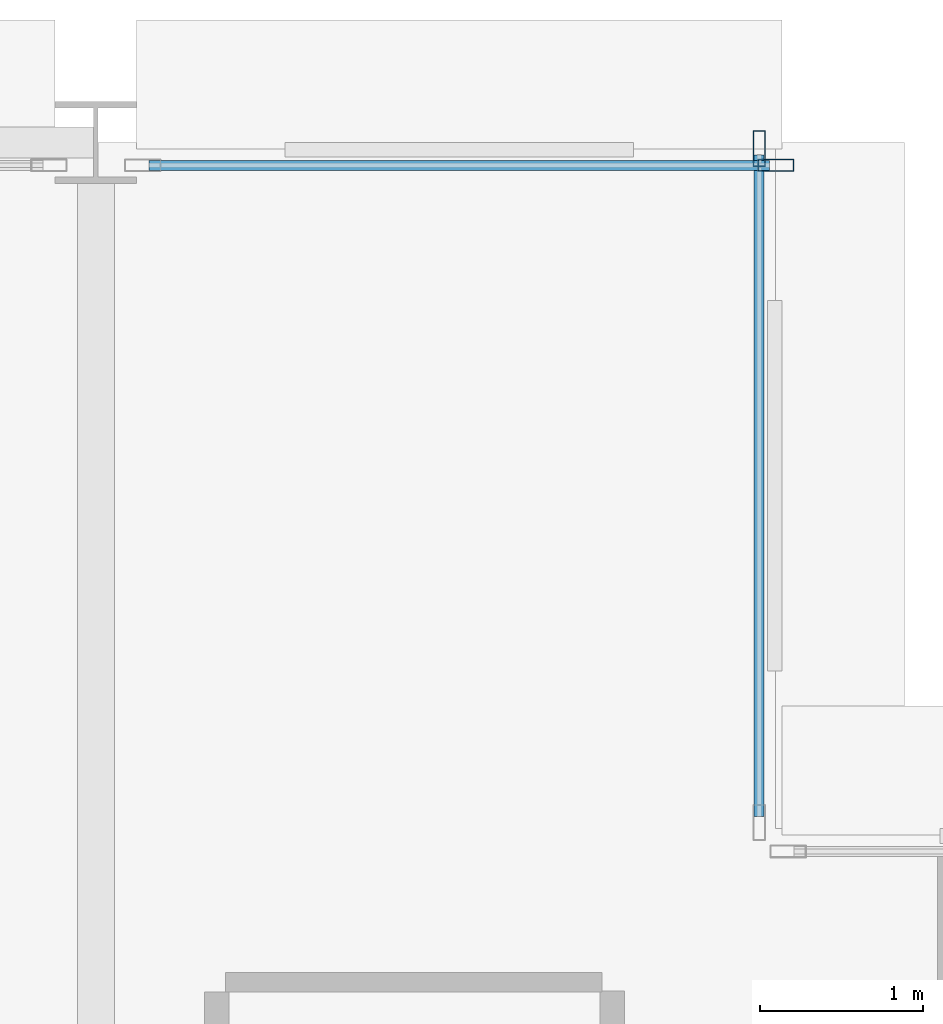
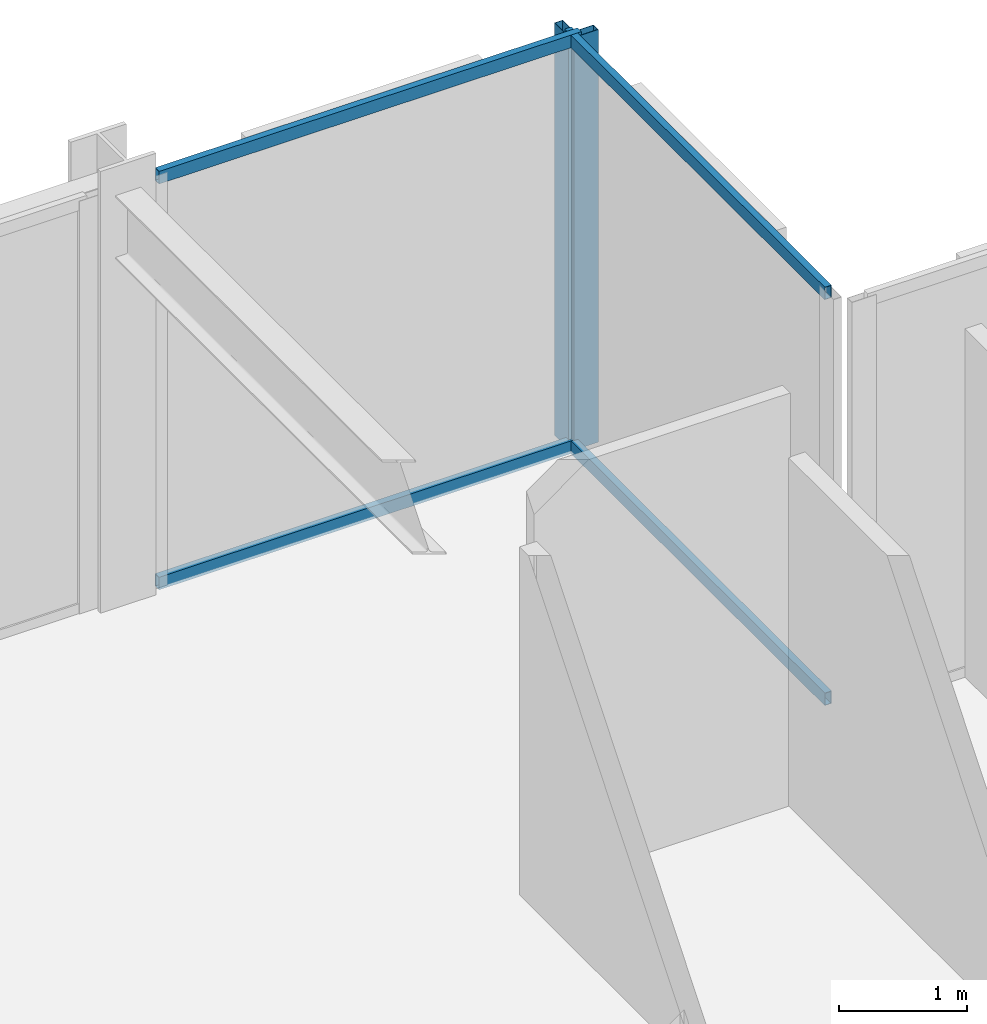
# One storey, part 20 of 27: 6 members, 2 elements without a shape of their own.
"""IFC4 building model written with IfcOpenShell, lengths in metres."""

from ifc_helpers import new_model, si_unit, direction, frame, origin, origin_2d, place, context, subcontext, project, spatial, hollow_rectangle, extrude, material, layer, layer_set, material_profile, profile_set, type_object, element, aggregate, save


model = new_model("IFC4")

# Units and contexts
model_context = context("Model", 3, precision=1e-05, world=origin(), true_north=direction((0.0, 1.0)))
body_context = subcontext(model_context, "Body", "Model", "MODEL_VIEW")
ifc_project = project(units=[si_unit("LENGTHUNIT", "METRE"), si_unit("AREAUNIT", "SQUARE_METRE"), si_unit("VOLUMEUNIT", "CUBIC_METRE"), si_unit("PLANEANGLEUNIT", "RADIAN"), si_unit("MASSUNIT", "GRAM", prefix="KILO")], contexts=[model_context])

# Site, building, storey
site_placement = place(None, origin())
site = spatial("IfcSite", under=ifc_project, at=site_placement, CompositionType="ELEMENT")
building_placement = place(site_placement, origin())
building = spatial("IfcBuilding", under=site, at=building_placement, Name="Nerrivon Quay Data Exchange", CompositionType="ELEMENT")
storey_placement = place(building_placement, frame((0.0, 0.0, 66.800048828125)))
storey = spatial("IfcBuildingStorey", under=building, at=storey_placement, Name="L15", CompositionType="ELEMENT", Elevation=66.800048828125)

# Curtain wall, member
ifc_material = material(Name="Anodised aluminium 6063-T6", Category="aluminium")
ifc_layer = layer(ifc_material, 0.219970703125)
ifc_layer_set = layer_set([ifc_layer], Name="Anodised aluminium 6063-T6")
curtain_wall_type = type_object("IfcCurtainWallType", Name="CW-SYS-01", PredefinedType="NOTDEFINED", material=ifc_layer_set)
curtain_wall_1_placement = place(storey_placement, origin())
curtain_wall_1 = element("IfcCurtainWall", 1, at=curtain_wall_1_placement, inside=storey, type_object=curtain_wall_type, Name="L15 Unitised Curtain Wall 26", PredefinedType="NOTDEFINED")
ifc_material_profile_1 = material_profile(ifc_material, hollow_rectangle(XDim=0.074951171875, YDim=0.219970703125, WallThickness=0.00390625, at=origin_2d()), Name="ALU-MULL-220x75")
ifc_profile_set_1 = profile_set([ifc_material_profile_1], Name="Anodised aluminium 6063-T6")
member_type_1 = type_object("IfcMemberType", Name="CWM-220x75", PredefinedType="MULLION", material=ifc_profile_set_1)
member_1_placement = place(storey_placement, frame((20.96240234375, 50.260009765625, 0.0), z_axis=(0.0, 0.0, 1.0), x_axis=(0.0, 1.0, 0.0)))
member_1 = element("IfcMember", 2, at=member_1_placement, type_object=member_type_1, Name="CW01 mullion 2", PredefinedType="MULLION", context=body_context, shape_type="SweptSolid", body=[
    extrude(hollow_rectangle(XDim=0.074951171875, YDim=0.219970703125, WallThickness=0.00390625, at=origin_2d()), origin(), (0.0, 0.0, 1.0), 3.925048828125),
])

curtain_wall_2_placement = place(storey_placement, origin())
curtain_wall_2 = element("IfcCurtainWall", 3, at=curtain_wall_2_placement, inside=storey, type_object=curtain_wall_type, Name="L15 Unitised Curtain Wall 27", PredefinedType="NOTDEFINED")
member_2_placement = place(storey_placement, frame((20.860107421875, 50.362548828125, 0.0), z_axis=(0.0, 0.0, 1.0), x_axis=(1.0, 0.0, 0.0)))
member_2 = element("IfcMember", 4, at=member_2_placement, type_object=member_type_1, Name="CW01 mullion 1", PredefinedType="MULLION", context=body_context, shape_type="SweptSolid", body=[
    extrude(hollow_rectangle(XDim=0.074951171875, YDim=0.219970703125, WallThickness=0.00390625, at=origin_2d()), origin(), (0.0, 0.0, 1.0), 3.925048828125),
])

# Member
ifc_material_profile_2 = material_profile(ifc_material, hollow_rectangle(XDim=0.06005859375, YDim=0.1201171875, WallThickness=0.003173828125, at=origin_2d()), Name="ALU-TRAN-120x60")
ifc_profile_set_2 = profile_set([ifc_material_profile_2], Name="Anodised aluminium 6063-T6")
member_type_2 = type_object("IfcMemberType", Name="CWT-120x60", PredefinedType="USERDEFINED", material=ifc_profile_set_2)
member_3_placement = place(storey_placement, frame((17.125, 50.260009765625, 0.032470703125), z_axis=(1.0, 0.0, 0.0), x_axis=(0.0, 1.0, 0.0)))
member_3 = element("IfcMember", 5, at=member_3_placement, type_object=member_type_2, Name="CW01 transom 1.1", ObjectType="TRANSOM", PredefinedType="USERDEFINED", context=body_context, shape_type="SweptSolid", body=[
    extrude(hollow_rectangle(XDim=0.06005859375, YDim=0.1201171875, WallThickness=0.003173828125, at=origin_2d()), origin(), (0.0, 0.0, 1.0), 3.800048828125),
])

member_4_placement = place(storey_placement, frame((17.125, 50.260009765625, 3.892333984375), z_axis=(1.0, 0.0, 0.0), x_axis=(0.0, 1.0, 0.0)))
member_4 = element("IfcMember", 6, at=member_4_placement, type_object=member_type_2, Name="CW01 transom 1.2", ObjectType="TRANSOM", PredefinedType="USERDEFINED", context=body_context, shape_type="SweptSolid", body=[
    extrude(hollow_rectangle(XDim=0.06005859375, YDim=0.1201171875, WallThickness=0.003173828125, at=origin_2d()), origin(), (0.0, 0.0, 1.0), 3.800048828125),
])

aggregate(curtain_wall_1, [member_1, member_3, member_4])

member_5_placement = place(storey_placement, frame((20.860107421875, 50.324951171875, 0.032470703125), z_axis=(0.0, -1.0, 0.0), x_axis=(1.0, 0.0, 0.0)))
member_5 = element("IfcMember", 7, at=member_5_placement, type_object=member_type_2, Name="CW01 transom 1.1", ObjectType="TRANSOM", PredefinedType="USERDEFINED", context=body_context, shape_type="SweptSolid", body=[
    extrude(hollow_rectangle(XDim=0.06005859375, YDim=0.1201171875, WallThickness=0.003173828125, at=origin_2d()), origin(), (0.0, 0.0, 1.0), 4.050048828125),
])

member_6_placement = place(storey_placement, frame((20.860107421875, 50.324951171875, 3.892333984375), z_axis=(0.0, -1.0, 0.0), x_axis=(1.0, 0.0, 0.0)))
member_6 = element("IfcMember", 8, at=member_6_placement, type_object=member_type_2, Name="CW01 transom 1.2", ObjectType="TRANSOM", PredefinedType="USERDEFINED", context=body_context, shape_type="SweptSolid", body=[
    extrude(hollow_rectangle(XDim=0.06005859375, YDim=0.1201171875, WallThickness=0.003173828125, at=origin_2d()), origin(), (0.0, 0.0, 1.0), 4.050048828125),
])

aggregate(curtain_wall_2, [member_2, member_5, member_6])

save(model, "model.ifc")
